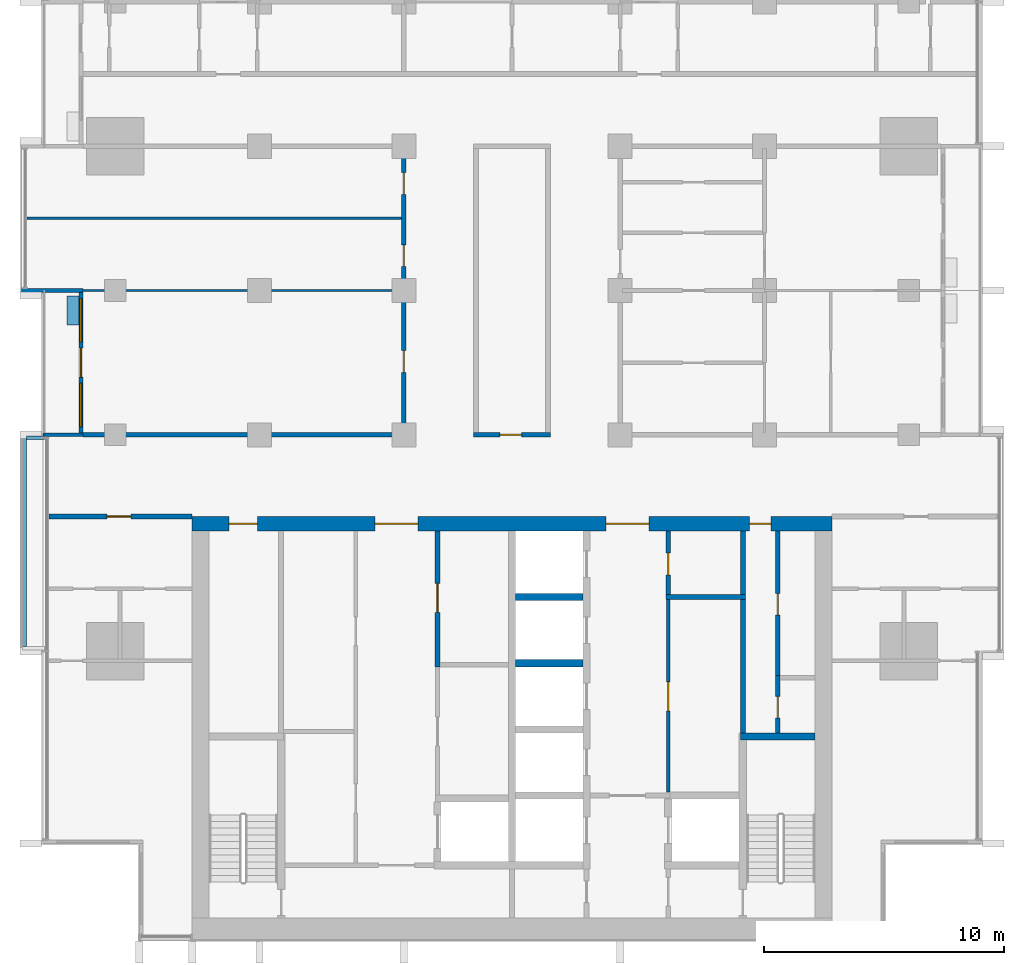
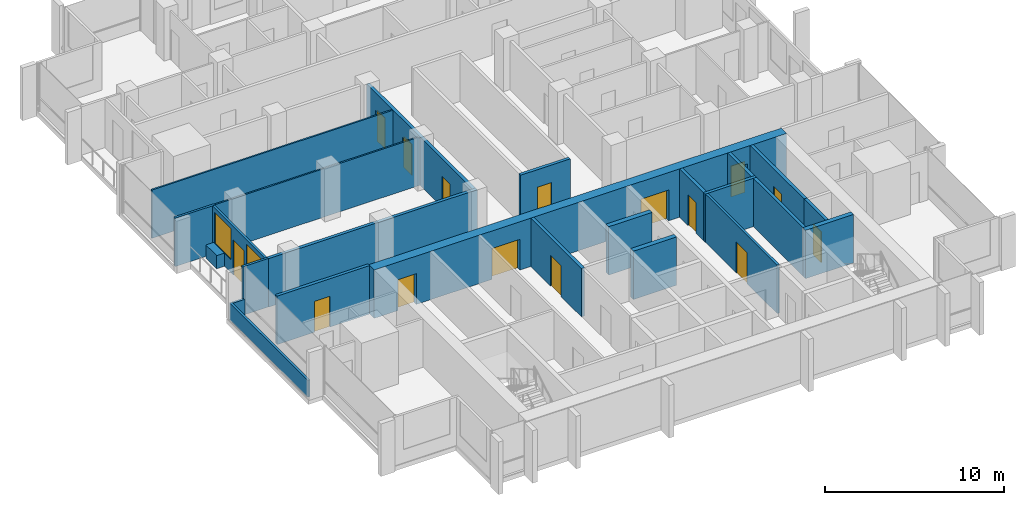
# One storey, part 8 of 17: 24 walls, 15 doors, 2 windows, 17 openings.
"""IFC4 building model written with IfcOpenShell, lengths in metres."""

from ifc_helpers import new_model, si_unit, direction, frame, frame_2d, origin, place, context, subcontext, project, spatial, rectangle, extrude, material, layer, layer_set, type_object, element, fill, save


model = new_model("IFC4")

# Units and contexts
model_context = context("Model", 3, precision=1e-05, world=origin(), true_north=direction((0.0, 1.0)))
body_context = subcontext(model_context, "Body", "Model", "MODEL_VIEW")
ifc_project = project(units=[si_unit("LENGTHUNIT", "METRE"), si_unit("AREAUNIT", "SQUARE_METRE"), si_unit("VOLUMEUNIT", "CUBIC_METRE"), si_unit("PLANEANGLEUNIT", "RADIAN"), si_unit("MASSUNIT", "GRAM", prefix="KILO")], contexts=[model_context])

# Site, building, storey
site_placement = place(None, origin())
site = spatial("IfcSite", under=ifc_project, at=site_placement, CompositionType="ELEMENT")
building_placement = place(site_placement, origin())
building = spatial("IfcBuilding", under=site, at=building_placement, Name="Finial Court Residences", CompositionType="ELEMENT")
storey_placement = place(building_placement, frame((0.0, 0.0, 152.89990234375)))
storey = spatial("IfcBuildingStorey", under=building, at=storey_placement, Name="L37", CompositionType="ELEMENT", Elevation=152.89990234375)

# Wall, openings, doors
ifc_material_1 = material(Name="Concrete C70/85", Category="concrete")
ifc_layer_1 = layer(ifc_material_1, 0.60009765625)
ifc_layer_set_1 = layer_set([ifc_layer_1], Name="Core outer wall 600 Concrete C70/85")
wall_type_1 = type_object("IfcWallType", Name="Core outer wall 600 Concrete C70/85", PredefinedType="SHEAR", material=ifc_layer_set_1)
wall_1_placement = place(storey_placement, frame((-13.300048828125, -8.199951171875, 0.0), z_axis=(0.0, 0.0, 1.0), x_axis=(1.0, 0.0, 0.0)))
wall_1 = element("IfcWall", 1, at=wall_1_placement, inside=storey, type_object=wall_type_1, Name="Core outer wall L37-02", PredefinedType="SHEAR", context=body_context, shape_type="SweptSolid", body=[
    extrude(rectangle(XDim=26.60009765625, YDim=0.60009765625, at=frame_2d((13.300048828125, 0.0))), origin(), (0.0, 0.0, 1.0), 3.300048828125),
])
opening_1_placement = place(wall_1_placement, frame((7.60009765625, 0.0, 0.0)))
opening_1 = element("IfcOpeningElement", 2, at=opening_1_placement, cuts=wall_1, Name="Opening L37-C04", PredefinedType="OPENING", context=body_context, shape_type="SweptSolid", body=[
    extrude(rectangle(XDim=1.800048828125, YDim=2.10009765625, at=frame_2d((0.89990234375, 1.050048828125))), frame((0.0, 0.31005859375, 0.0), z_axis=(0.0, -1.0, 0.0), x_axis=(1.0, 0.0, 0.0)), (0.0, 0.0, 1.0), 0.6201171875),
])
opening_2_placement = place(wall_1_placement, frame((17.199951171875, 0.0, 0.0)))
opening_2 = element("IfcOpeningElement", 3, at=opening_2_placement, cuts=wall_1, Name="Opening L37-C05", PredefinedType="OPENING", context=body_context, shape_type="SweptSolid", body=[
    extrude(rectangle(XDim=1.800048828125, YDim=2.10009765625, at=frame_2d((0.89990234375, 1.050048828125))), frame((0.0, 0.31005859375, 0.0), z_axis=(0.0, -1.0, 0.0), x_axis=(1.0, 0.0, 0.0)), (0.0, 0.0, 1.0), 0.6201171875),
])
opening_3_placement = place(wall_1_placement, frame((1.52490234375, 0.0, 0.0)))
opening_3 = element("IfcOpeningElement", 4, at=opening_3_placement, cuts=wall_1, Name="Opening L37-C10", PredefinedType="OPENING", context=body_context, shape_type="SweptSolid", body=[
    extrude(rectangle(XDim=1.199951171875, YDim=2.10009765625, at=frame_2d((0.60009765625, 1.050048828125))), frame((0.0, 0.31005859375, 0.0), z_axis=(0.0, -1.0, 0.0), x_axis=(1.0, 0.0, 0.0)), (0.0, 0.0, 1.0), 0.6201171875),
])
opening_4_placement = place(wall_1_placement, frame((23.175048828125, 0.0, 0.0)))
opening_4 = element("IfcOpeningElement", 5, at=opening_4_placement, cuts=wall_1, Name="Opening L37-C11", PredefinedType="OPENING", context=body_context, shape_type="SweptSolid", body=[
    extrude(rectangle(XDim=0.89990234375, YDim=2.10009765625, at=frame_2d((0.449951171875, 1.050048828125))), frame((0.0, 0.31005859375, 0.0), z_axis=(0.0, -1.0, 0.0), x_axis=(1.0, 0.0, 0.0)), (0.0, 0.0, 1.0), 0.6201171875),
])
ifc_material_2 = material(Name="Steel fire door", Category="steel")
door_type_1 = type_object("IfcDoorType", Name="Lift lobby door 1800 x 2100 EI 60", OperationType="DOUBLE_DOOR_SINGLE_SWING", PredefinedType="DOOR", material=ifc_material_2)
door_1_placement = place(opening_1_placement, origin())
door_1 = element("IfcDoor", 6, at=door_1_placement, inside=storey, type_object=door_type_1, Name="Lift lobby door L37-C04", OperationType="DOUBLE_DOOR_SINGLE_SWING", OverallHeight=2.10009765625, OverallWidth=1.800048828125, PredefinedType="DOOR", context=body_context, shape_type="SweptSolid", body=[
    extrude(rectangle(XDim=1.800048828125, YDim=2.10009765625, at=frame_2d((0.89990234375, 1.050048828125))), frame((0.0, 0.02490234375, 0.0), z_axis=(0.0, -1.0, 0.0), x_axis=(1.0, 0.0, 0.0)), (0.0, 0.0, 1.0), 0.050048828125),
])
fill(opening_1, door_1)
door_2_placement = place(opening_2_placement, origin())
door_2 = element("IfcDoor", 7, at=door_2_placement, inside=storey, type_object=door_type_1, Name="Lift lobby door L37-C05", OperationType="DOUBLE_DOOR_SINGLE_SWING", OverallHeight=2.10009765625, OverallWidth=1.800048828125, PredefinedType="DOOR", context=body_context, shape_type="SweptSolid", body=[
    extrude(rectangle(XDim=1.800048828125, YDim=2.10009765625, at=frame_2d((0.89990234375, 1.050048828125))), frame((0.0, 0.02490234375, 0.0), z_axis=(0.0, -1.0, 0.0), x_axis=(1.0, 0.0, 0.0)), (0.0, 0.0, 1.0), 0.050048828125),
])
fill(opening_2, door_2)
door_type_2 = type_object("IfcDoorType", Name="Riser room door 1200 x 2100 EI 90", OperationType="NOTDEFINED", PredefinedType="DOOR", material=ifc_material_2)
door_3_placement = place(opening_3_placement, origin())
door_3 = element("IfcDoor", 8, at=door_3_placement, inside=storey, type_object=door_type_2, Name="Riser room door L37-C10", OperationType="SINGLE_SWING_LEFT", OverallHeight=2.10009765625, OverallWidth=1.199951171875, PredefinedType="DOOR", context=body_context, shape_type="SweptSolid", body=[
    extrude(rectangle(XDim=1.199951171875, YDim=2.10009765625, at=frame_2d((0.60009765625, 1.050048828125))), frame((0.0, 0.02490234375, 0.0), z_axis=(0.0, -1.0, 0.0), x_axis=(1.0, 0.0, 0.0)), (0.0, 0.0, 1.0), 0.050048828125),
])
fill(opening_3, door_3)
door_type_3 = type_object("IfcDoorType", Name="Riser room door 900 x 2100 EI 90", OperationType="NOTDEFINED", PredefinedType="DOOR", material=ifc_material_2)
door_4_placement = place(opening_4_placement, origin())
door_4 = element("IfcDoor", 9, at=door_4_placement, inside=storey, type_object=door_type_3, Name="Riser room door L37-C11", OperationType="SINGLE_SWING_LEFT", OverallHeight=2.10009765625, OverallWidth=0.89990234375, PredefinedType="DOOR", context=body_context, shape_type="SweptSolid", body=[
    extrude(rectangle(XDim=0.89990234375, YDim=2.10009765625, at=frame_2d((0.449951171875, 1.050048828125))), frame((0.0, 0.02490234375, 0.0), z_axis=(0.0, -1.0, 0.0), x_axis=(1.0, 0.0, 0.0)), (0.0, 0.0, 1.0), 0.050048828125),
])
fill(opening_4, door_4)

# Wall, opening, door
ifc_material_3 = material(Name="Fire-rated gypsum board partition")
ifc_layer_2 = layer(ifc_material_3, 0.14990234375)
ifc_layer_set_2 = layer_set([ifc_layer_2], Name="Core room partition 150 EI 60")
wall_type_2 = type_object("IfcWallType", Name="Core room partition 150 EI 60", PredefinedType="PARTITIONING", material=ifc_layer_set_2)
wall_2_placement = place(storey_placement, frame((6.5, -11.35009765625, 0.0), z_axis=(0.0, 0.0, 1.0), x_axis=(0.0, -1.0, 0.0)))
wall_2 = element("IfcWall", 10, at=wall_2_placement, inside=storey, type_object=wall_type_2, Name="Core partition L37-29", PredefinedType="PARTITIONING", context=body_context, shape_type="SweptSolid", body=[
    extrude(rectangle(XDim=8.0, YDim=0.14990234375, at=frame_2d((4.0, 0.0))), origin(), (0.0, 0.0, 1.0), 3.300048828125),
])
opening_5_placement = place(wall_2_placement, frame((3.425048828125, 0.0, 0.0)))
opening_5 = element("IfcOpeningElement", 11, at=opening_5_placement, cuts=wall_2, Name="Opening L37-C16", PredefinedType="OPENING", context=body_context, shape_type="SweptSolid", body=[
    extrude(rectangle(XDim=1.199951171875, YDim=2.10009765625, at=frame_2d((0.60009765625, 1.050048828125))), frame((0.0, 0.0849609375, 0.0), z_axis=(0.0, -1.0, 0.0), x_axis=(1.0, 0.0, 0.0)), (0.0, 0.0, 1.0), 0.169921875),
])
door_type_4 = type_object("IfcDoorType", Name="Core room door 1200 x 2100 EI 60", OperationType="NOTDEFINED", PredefinedType="DOOR", material=ifc_material_2)
door_5_placement = place(opening_5_placement, origin())
door_5 = element("IfcDoor", 12, at=door_5_placement, inside=storey, type_object=door_type_4, Name="Core room door L37-C16", OperationType="SINGLE_SWING_RIGHT", OverallHeight=2.10009765625, OverallWidth=1.199951171875, PredefinedType="DOOR", context=body_context, shape_type="SweptSolid", body=[
    extrude(rectangle(XDim=1.199951171875, YDim=2.10009765625, at=frame_2d((0.60009765625, 1.050048828125))), frame((0.0, 0.02490234375, 0.0), z_axis=(0.0, -1.0, 0.0), x_axis=(1.0, 0.0, 0.0)), (0.0, 0.0, 1.0), 0.050048828125),
])
fill(opening_5, door_5)

ifc_material_4 = material(Name="Gypsum board")
ifc_layer_3 = layer(ifc_material_4, 0.02490234375)
ifc_material_5 = material(Name="Acoustic mineral wool in double frame")
ifc_layer_4 = layer(ifc_material_5, 0.14990234375)
ifc_layer_5 = layer(ifc_material_4, 0.02490234375)
ifc_layer_set_3 = layer_set([ifc_layer_3, ifc_layer_4, ifc_layer_5], Name="Corridor wall 200, 1 hour")
wall_type_3 = type_object("IfcWallType", Name="Corridor wall 200, 1 hour", PredefinedType="PARTITIONING", material=ifc_layer_set_3)
wall_3_placement = place(storey_placement, frame((-19.262451171875, -7.89990234375, 0.0), z_axis=(0.0, 0.0, 1.0), x_axis=(1.0, 0.0, 0.0)))
wall_3 = element("IfcWall", 13, at=wall_3_placement, inside=storey, type_object=wall_type_3, Name="Partition L37-004", PredefinedType="PARTITIONING", context=body_context, shape_type="SweptSolid", body=[
    extrude(rectangle(XDim=5.96240234375, YDim=0.199951171875, at=frame_2d((2.981201171875, 0.0))), origin(), (0.0, 0.0, 1.0), 3.300048828125),
])
opening_6_placement = place(wall_3_placement, frame((2.412109375, 0.0, 0.0)))
opening_6 = element("IfcOpeningElement", 14, at=opening_6_placement, cuts=wall_3, Name="Opening L37-D007", PredefinedType="OPENING", context=body_context, shape_type="SweptSolid", body=[
    extrude(rectangle(XDim=1.0, YDim=2.10009765625, at=frame_2d((0.5, 1.050048828125))), frame((0.0, 0.10986328125, 0.0), z_axis=(0.0, -1.0, 0.0), x_axis=(1.0, 0.0, 0.0)), (0.0, 0.0, 1.0), 0.219970703125),
])
ifc_material_6 = material(Name="Timber door leaf in hollow metal frame", Category="wood")
door_type_5 = type_object("IfcDoorType", Name="Fire door set 1000 x 2100, 30 minutes", OperationType="SINGLE_SWING_LEFT", PredefinedType="DOOR", material=ifc_material_6)
door_6_placement = place(opening_6_placement, origin())
door_6 = element("IfcDoor", 15, at=door_6_placement, inside=storey, type_object=door_type_5, Name="Door L37-D007", OperationType="SINGLE_SWING_RIGHT", OverallHeight=2.10009765625, OverallWidth=1.0, PredefinedType="DOOR", context=body_context, shape_type="SweptSolid", body=[
    extrude(rectangle(XDim=1.0, YDim=2.10009765625, at=frame_2d((0.5, 1.050048828125))), frame((0.0, 0.02490234375, 0.0), z_axis=(0.0, -1.0, 0.0), x_axis=(1.0, 0.0, 0.0)), (0.0, 0.0, 1.0), 0.050048828125),
])
fill(opening_6, door_6)

# Wall
wall_4_placement = place(storey_placement, frame((-17.85009765625, -4.5, 0.0), z_axis=(0.0, 0.0, 1.0), x_axis=(1.0, 0.0, 0.0)))
element("IfcWall", 16, at=wall_4_placement, inside=storey, type_object=wall_type_3, Name="Partition L37-006", PredefinedType="PARTITIONING", context=body_context, shape_type="SweptSolid", body=[
    extrude(rectangle(XDim=13.4501953125, YDim=0.199951171875, at=frame_2d((6.72509765625, 0.0))), origin(), (0.0, 0.0, 1.0), 3.300048828125),
])

# Wall, opening, door
wall_5_placement = place(storey_placement, frame((-1.60009765625, -4.5, 0.0), z_axis=(0.0, 0.0, 1.0), x_axis=(1.0, 0.0, 0.0)))
wall_5 = element("IfcWall", 17, at=wall_5_placement, inside=storey, type_object=wall_type_3, Name="Partition L37-007", PredefinedType="PARTITIONING", context=body_context, shape_type="SweptSolid", body=[
    extrude(rectangle(XDim=3.2001953125, YDim=0.199951171875, at=frame_2d((1.60009765625, 0.0))), origin(), (0.0, 0.0, 1.0), 3.300048828125),
])
opening_7_placement = place(wall_5_placement, frame((1.10009765625, 0.0, 0.0)))
opening_7 = element("IfcOpeningElement", 18, at=opening_7_placement, cuts=wall_5, Name="Opening L37-D009", PredefinedType="OPENING", context=body_context, shape_type="SweptSolid", body=[
    extrude(rectangle(XDim=0.89990234375, YDim=2.10009765625, at=frame_2d((0.449951171875, 1.050048828125))), frame((0.0, 0.10986328125, 0.0), z_axis=(0.0, -1.0, 0.0), x_axis=(1.0, 0.0, 0.0)), (0.0, 0.0, 1.0), 0.219970703125),
])
door_type_6 = type_object("IfcDoorType", Name="Fire door set 900 x 2100, 30 minutes", OperationType="SINGLE_SWING_LEFT", PredefinedType="DOOR", material=ifc_material_6)
door_7_placement = place(opening_7_placement, origin())
door_7 = element("IfcDoor", 19, at=door_7_placement, inside=storey, type_object=door_type_6, Name="Door L37-D009", OperationType="SINGLE_SWING_LEFT", OverallHeight=2.10009765625, OverallWidth=0.89990234375, PredefinedType="DOOR", context=body_context, shape_type="SweptSolid", body=[
    extrude(rectangle(XDim=0.89990234375, YDim=2.10009765625, at=frame_2d((0.449951171875, 1.050048828125))), frame((0.0, 0.02490234375, 0.0), z_axis=(0.0, -1.0, 0.0), x_axis=(1.0, 0.0, 0.0)), (0.0, 0.0, 1.0), 0.050048828125),
])
fill(opening_7, door_7)

# Wall, openings, doors
wall_6_placement = place(storey_placement, frame((-4.5, -4.39990234375, 0.0), z_axis=(0.0, 0.0, 1.0), x_axis=(0.0, 1.0, 0.0)))
wall_6 = element("IfcWall", 20, at=wall_6_placement, inside=storey, type_object=wall_type_3, Name="Partition L37-039", PredefinedType="PARTITIONING", context=body_context, shape_type="SweptSolid", body=[
    extrude(rectangle(XDim=11.7998046875, YDim=0.199951171875, at=frame_2d((5.89990234375, 0.0))), origin(), (0.0, 0.0, 1.0), 3.300048828125),
])
opening_8_placement = place(wall_6_placement, frame((2.5, 0.0, 0.0)))
opening_8 = element("IfcOpeningElement", 21, at=opening_8_placement, cuts=wall_6, Name="Opening L37-D027", PredefinedType="OPENING", context=body_context, shape_type="SweptSolid", body=[
    extrude(rectangle(XDim=0.89990234375, YDim=2.10009765625, at=frame_2d((0.449951171875, 1.050048828125))), frame((0.0, 0.10986328125, 0.0), z_axis=(0.0, -1.0, 0.0), x_axis=(1.0, 0.0, 0.0)), (0.0, 0.0, 1.0), 0.219970703125),
])
opening_9_placement = place(wall_6_placement, frame((6.89990234375, 0.0, 0.0)))
opening_9 = element("IfcOpeningElement", 22, at=opening_9_placement, cuts=wall_6, Name="Opening L37-D028", PredefinedType="OPENING", context=body_context, shape_type="SweptSolid", body=[
    extrude(rectangle(XDim=0.89990234375, YDim=2.10009765625, at=frame_2d((0.449951171875, 1.050048828125))), frame((0.0, 0.10986328125, 0.0), z_axis=(0.0, -1.0, 0.0), x_axis=(1.0, 0.0, 0.0)), (0.0, 0.0, 1.0), 0.219970703125),
])
opening_10_placement = place(wall_6_placement, frame((9.89990234375, 0.0, 0.0)))
opening_10 = element("IfcOpeningElement", 23, at=opening_10_placement, cuts=wall_6, Name="Opening L37-D029", PredefinedType="OPENING", context=body_context, shape_type="SweptSolid", body=[
    extrude(rectangle(XDim=0.89990234375, YDim=2.10009765625, at=frame_2d((0.449951171875, 1.050048828125))), frame((0.0, 0.10986328125, 0.0), z_axis=(0.0, -1.0, 0.0), x_axis=(1.0, 0.0, 0.0)), (0.0, 0.0, 1.0), 0.219970703125),
])
door_8_placement = place(opening_8_placement, origin())
door_8 = element("IfcDoor", 24, at=door_8_placement, inside=storey, type_object=door_type_6, Name="Door L37-D027", OperationType="SINGLE_SWING_RIGHT", OverallHeight=2.10009765625, OverallWidth=0.89990234375, PredefinedType="DOOR", context=body_context, shape_type="SweptSolid", body=[
    extrude(rectangle(XDim=0.89990234375, YDim=2.10009765625, at=frame_2d((0.449951171875, 1.050048828125))), frame((0.0, 0.02490234375, 0.0), z_axis=(0.0, -1.0, 0.0), x_axis=(1.0, 0.0, 0.0)), (0.0, 0.0, 1.0), 0.050048828125),
])
fill(opening_8, door_8)
door_9_placement = place(opening_9_placement, origin())
door_9 = element("IfcDoor", 25, at=door_9_placement, inside=storey, type_object=door_type_6, Name="Door L37-D028", OperationType="SINGLE_SWING_LEFT", OverallHeight=2.10009765625, OverallWidth=0.89990234375, PredefinedType="DOOR", context=body_context, shape_type="SweptSolid", body=[
    extrude(rectangle(XDim=0.89990234375, YDim=2.10009765625, at=frame_2d((0.449951171875, 1.050048828125))), frame((0.0, 0.02490234375, 0.0), z_axis=(0.0, -1.0, 0.0), x_axis=(1.0, 0.0, 0.0)), (0.0, 0.0, 1.0), 0.050048828125),
])
fill(opening_9, door_9)
door_10_placement = place(opening_10_placement, origin())
door_10 = element("IfcDoor", 26, at=door_10_placement, inside=storey, type_object=door_type_6, Name="Door L37-D029", OperationType="SINGLE_SWING_LEFT", OverallHeight=2.10009765625, OverallWidth=0.89990234375, PredefinedType="DOOR", context=body_context, shape_type="SweptSolid", body=[
    extrude(rectangle(XDim=0.89990234375, YDim=2.10009765625, at=frame_2d((0.449951171875, 1.050048828125))), frame((0.0, 0.02490234375, 0.0), z_axis=(0.0, -1.0, 0.0), x_axis=(1.0, 0.0, 0.0)), (0.0, 0.0, 1.0), 0.050048828125),
])
fill(opening_10, door_10)

# Walls
ifc_layer_6 = layer(ifc_material_4, 0.012451171875)
ifc_material_7 = material(Name="Mineral wool in light-gauge frame")
ifc_layer_7 = layer(ifc_material_7, 0.074951171875)
ifc_layer_8 = layer(ifc_material_4, 0.012451171875)
ifc_layer_set_4 = layer_set([ifc_layer_6, ifc_layer_7, ifc_layer_8], Name="Gypsum board partition 100")
wall_type_4 = type_object("IfcWallType", Name="Gypsum board partition 100", PredefinedType="PARTITIONING", material=ifc_layer_set_4)
wall_7_placement = place(storey_placement, frame((-17.85009765625, 1.5, 0.0), z_axis=(0.0, 0.0, 1.0), x_axis=(1.0, 0.0, 0.0)))
element("IfcWall", 27, at=wall_7_placement, inside=storey, type_object=wall_type_4, Name="Partition L37-010", PredefinedType="PARTITIONING", context=body_context, shape_type="SweptSolid", body=[
    extrude(rectangle(XDim=13.25, YDim=0.10009765625, at=frame_2d((6.625, 0.0))), origin(), (0.0, 0.0, 1.0), 3.300048828125),
])
wall_8_placement = place(storey_placement, frame((-20.16259765625, 4.5, 0.0), z_axis=(0.0, 0.0, 1.0), x_axis=(1.0, 0.0, 0.0)))
element("IfcWall", 28, at=wall_8_placement, inside=storey, type_object=wall_type_4, Name="Partition L37-014", PredefinedType="PARTITIONING", context=body_context, shape_type="SweptSolid", body=[
    extrude(rectangle(XDim=15.5625, YDim=0.10009765625, at=frame_2d((7.78125, 0.0))), origin(), (0.0, 0.0, 1.0), 3.300048828125),
])
ifc_material_8 = material(Name="Concrete C35/45", Category="concrete")
ifc_layer_9 = layer(ifc_material_8, 0.14990234375)
ifc_layer_set_5 = layer_set([ifc_layer_9], Name="Ledge parapet, Concrete C35/45 150")
wall_type_5 = type_object("IfcWallType", Name="Ledge parapet, Concrete C35/45 150", PredefinedType="PARAPET", material=ifc_layer_set_5)
wall_9_placement = place(storey_placement, frame((-20.27490234375, -13.300048828125, 0.0), z_axis=(0.0, 0.0, 1.0), x_axis=(0.0, 1.0, 0.0)))
element("IfcWall", 29, at=wall_9_placement, inside=storey, type_object=wall_type_5, Name="E-L37-LED1-P2", PredefinedType="PARAPET", context=body_context, shape_type="SweptSolid", body=[
    extrude(rectangle(XDim=8.75, YDim=0.14990234375, at=frame_2d((4.375, 0.0))), origin(), (0.0, 0.0, 1.0), 1.150146484375),
])
wall_10_placement = place(storey_placement, frame((-20.199951171875, -4.625, 0.0), z_axis=(0.0, 0.0, 1.0), x_axis=(1.0, 0.0, 0.0)))
element("IfcWall", 30, at=wall_10_placement, inside=storey, type_object=wall_type_5, Name="E-L37-LED1-P3", PredefinedType="PARAPET", context=body_context, shape_type="SweptSolid", body=[
    extrude(rectangle(XDim=0.75244140625, YDim=0.14990234375, at=frame_2d((0.376220703125, 0.0))), origin(), (0.0, 0.0, 1.0), 1.150146484375),
])
ifc_layer_10 = layer(ifc_material_1, 0.300048828125)
ifc_layer_set_6 = layer_set([ifc_layer_10], Name="Lift shaft and stair wall 300 Concrete C70/85")
wall_type_6 = type_object("IfcWallType", Name="Lift shaft and stair wall 300 Concrete C70/85", PredefinedType="SHEAR", material=ifc_layer_set_6)
wall_11_placement = place(storey_placement, frame((9.5, -17.050048828125, 0.0), z_axis=(0.0, 0.0, 1.0), x_axis=(1.0, 0.0, 0.0)))
element("IfcWall", 31, at=wall_11_placement, inside=storey, type_object=wall_type_6, Name="Core wall L37-09", PredefinedType="SHEAR", context=body_context, shape_type="SweptSolid", body=[
    extrude(rectangle(XDim=3.10009765625, YDim=0.300048828125, at=frame_2d((1.550048828125, 0.0))), origin(), (0.0, 0.0, 1.0), 3.300048828125),
])
for number, where, z_axis, x_axis, name in (
    (32, (0.14990234375, -14.0, 0.0), (0.0, 0.0, 1.0), (1.0, 0.0, 0.0), "Core wall L37-14"),
    (33, (0.14990234375, -11.25, 0.0), (0.0, 0.0, 1.0), (1.0, 0.0, 0.0), "Core wall L37-15"),
):
    element("IfcWall", number, at=place(storey_placement, frame(where, z_axis=z_axis, x_axis=x_axis)), inside=storey, type_object=wall_type_6, Name=name, PredefinedType="SHEAR", context=body_context, shape_type="SweptSolid", body=[
        extrude(rectangle(XDim=2.800048828125, YDim=0.300048828125, at=frame_2d((1.39990234375, 0.0))), origin(), (0.0, 0.0, 1.0), 3.300048828125),
    ])
ifc_material_9 = material(Name="Natural limestone", Category="masonry")
ifc_layer_11 = layer(ifc_material_9, 0.14990234375)
ifc_layer_set_7 = layer_set([ifc_layer_11], Name="Limestone clad wall 150")
wall_type_7 = type_object("IfcWallType", Name="Limestone clad wall 150", PredefinedType="SOLIDWALL", material=ifc_layer_set_7)
wall_12_placement = place(storey_placement, frame((-17.85009765625, -4.5, 0.0), z_axis=(0.0, 0.0, 1.0), x_axis=(-1.0, 0.0, 0.0)))
element("IfcWall", 34, at=wall_12_placement, inside=storey, type_object=wall_type_7, Name="E-L37-BALW3-P1", PredefinedType="SOLIDWALL", context=body_context, shape_type="SweptSolid", body=[
    extrude(rectangle(XDim=1.64990234375, YDim=0.14990234375, at=frame_2d((0.824951171875, 0.0))), origin(), (0.0, 0.0, 1.0), 3.300048828125),
])
wall_13_placement = place(storey_placement, frame((-17.85009765625, 1.5, 0.0), z_axis=(0.0, 0.0, 1.0), x_axis=(-1.0, 0.0, 0.0)))
element("IfcWall", 35, at=wall_13_placement, inside=storey, type_object=wall_type_7, Name="E-L37-BALW3-P2", PredefinedType="SOLIDWALL", context=body_context, shape_type="SweptSolid", body=[
    extrude(rectangle(XDim=2.5498046875, YDim=0.14990234375, at=frame_2d((1.27490234375, 0.0))), origin(), (0.0, 0.0, 1.0), 3.300048828125),
])

# Wall, openings, door, windows
wall_14_placement = place(storey_placement, frame((-17.925048828125, -4.425048828125, 0.0), z_axis=(0.0, 0.0, 1.0), x_axis=(0.0, 1.0, 0.0)))
wall_14 = element("IfcWall", 36, at=wall_14_placement, inside=storey, type_object=wall_type_7, Name="E-L37-L37-BALW3-W", PredefinedType="SOLIDWALL", context=body_context, shape_type="SweptSolid", body=[
    extrude(rectangle(XDim=5.85009765625, YDim=0.14990234375, at=frame_2d((2.925048828125, 0.0))), origin(), (0.0, 0.0, 1.0), 3.300048828125),
])
opening_11_placement = place(wall_14_placement, frame((2.324951171875, 0.0, 0.0)))
opening_11 = element("IfcOpeningElement", 37, at=opening_11_placement, cuts=wall_14, Name="Opening DE37-04", PredefinedType="OPENING", context=body_context, shape_type="SweptSolid", body=[
    extrude(rectangle(XDim=1.199951171875, YDim=2.39990234375, at=frame_2d((0.60009765625, 1.199951171875))), frame((0.0, 0.0849609375, 0.0), z_axis=(0.0, -1.0, 0.0), x_axis=(1.0, 0.0, 0.0)), (0.0, 0.0, 1.0), 0.169921875),
])
opening_12_placement = place(wall_14_placement, frame((0.262451171875, 0.0, 0.89990234375)))
opening_12 = element("IfcOpeningElement", 38, at=opening_12_placement, cuts=wall_14, Name="Opening WE37-16", PredefinedType="OPENING", context=body_context, shape_type="SweptSolid", body=[
    extrude(rectangle(XDim=1.800048828125, YDim=2.10009765625, at=frame_2d((0.89990234375, 1.050048828125))), frame((0.0, 0.0849609375, 0.0), z_axis=(0.0, -1.0, 0.0), x_axis=(1.0, 0.0, 0.0)), (0.0, 0.0, 1.0), 0.169921875),
])
opening_13_placement = place(wall_14_placement, frame((3.78759765625, 0.0, 0.89990234375)))
opening_13 = element("IfcOpeningElement", 39, at=opening_13_placement, cuts=wall_14, Name="Opening WE37-17", PredefinedType="OPENING", context=body_context, shape_type="SweptSolid", body=[
    extrude(rectangle(XDim=1.800048828125, YDim=2.10009765625, at=frame_2d((0.89990234375, 1.050048828125))), frame((0.0, 0.0849609375, 0.0), z_axis=(0.0, -1.0, 0.0), x_axis=(1.0, 0.0, 0.0)), (0.0, 0.0, 1.0), 0.169921875),
])
ifc_material_10 = material(Name="Bronze anodised aluminium", Category="aluminium")
door_type_7 = type_object("IfcDoorType", Name="Balcony door 1200 x 2400", OperationType="SINGLE_SWING_LEFT", PredefinedType="DOOR", material=ifc_material_10)
door_11_placement = place(opening_11_placement, origin())
door_11 = element("IfcDoor", 40, at=door_11_placement, inside=storey, type_object=door_type_7, Name="E-L37-L37-BALW3-W-D", OperationType="SINGLE_SWING_LEFT", OverallHeight=2.39990234375, OverallWidth=1.199951171875, PredefinedType="DOOR", context=body_context, shape_type="SweptSolid", body=[
    extrude(rectangle(XDim=1.199951171875, YDim=2.39990234375, at=frame_2d((0.60009765625, 1.199951171875))), frame((0.0, 0.02490234375, 0.0), z_axis=(0.0, -1.0, 0.0), x_axis=(1.0, 0.0, 0.0)), (0.0, 0.0, 1.0), 0.050048828125),
])
fill(opening_11, door_11)
ifc_material_11 = material(Name="Clear low-e glass", Category="glass")
window_type = type_object("IfcWindowType", Name="Balcony window 1800 x 2100", PartitioningType="SINGLE_PANEL", PredefinedType="WINDOW", material=ifc_material_11)
window_1_placement = place(opening_12_placement, origin())
window_1 = element("IfcWindow", 41, at=window_1_placement, inside=storey, type_object=window_type, Name="E-L37-L37-BALW3-W-W1", OverallHeight=2.10009765625, OverallWidth=1.800048828125, PartitioningType="SINGLE_PANEL", PredefinedType="WINDOW", context=body_context, shape_type="SweptSolid", body=[
    extrude(rectangle(XDim=1.800048828125, YDim=2.10009765625, at=frame_2d((0.89990234375, 1.050048828125))), frame((0.0, 0.030029296875, 0.0), z_axis=(0.0, -1.0, 0.0), x_axis=(1.0, 0.0, 0.0)), (0.0, 0.0, 1.0), 0.06005859375),
])
fill(opening_12, window_1)
window_2_placement = place(opening_13_placement, origin())
window_2 = element("IfcWindow", 42, at=window_2_placement, inside=storey, type_object=window_type, Name="E-L37-L37-BALW3-W-W2", OverallHeight=2.10009765625, OverallWidth=1.800048828125, PartitioningType="SINGLE_PANEL", PredefinedType="WINDOW", context=body_context, shape_type="SweptSolid", body=[
    extrude(rectangle(XDim=1.800048828125, YDim=2.10009765625, at=frame_2d((0.89990234375, 1.050048828125))), frame((0.0, 0.030029296875, 0.0), z_axis=(0.0, -1.0, 0.0), x_axis=(1.0, 0.0, 0.0)), (0.0, 0.0, 1.0), 0.06005859375),
])
fill(opening_13, window_2)

# Walls
ifc_material_12 = material(Name="Concrete C40/50", Category="concrete")
ifc_layer_12 = layer(ifc_material_12, 0.10009765625)
ifc_material_13 = material(Name="Planting soil", Category="soil")
ifc_layer_13 = layer(ifc_material_13, 0.300048828125)
ifc_layer_14 = layer(ifc_material_12, 0.10009765625)
ifc_layer_set_8 = layer_set([ifc_layer_12, ifc_layer_13, ifc_layer_14], Name="Planter wall, balcony")
wall_type_8 = type_object("IfcWallType", Name="Planter wall, balcony", PredefinedType="USERDEFINED", material=ifc_layer_set_8)
wall_15_placement = place(storey_placement, frame((-18.25, 0.074951171875, 0.0), z_axis=(0.0, 0.0, 1.0), x_axis=(0.0, 1.0, 0.0)))
element("IfcWall", 43, at=wall_15_placement, inside=storey, type_object=wall_type_8, Name="E-L37-BALW3-PL", ObjectType="PLANTER", PredefinedType="USERDEFINED", context=body_context, shape_type="SweptSolid", body=[
    extrude(rectangle(XDim=1.199951171875, YDim=0.5, at=frame_2d((0.60009765625, 0.0))), origin(), (0.0, 0.0, 1.0), 0.900146484375),
])
ifc_layer_15 = layer(ifc_material_3, 0.199951171875)
ifc_layer_set_9 = layer_set([ifc_layer_15], Name="Riser room wall 200 EI 120")
wall_type_9 = type_object("IfcWallType", Name="Riser room wall 200 EI 120", PredefinedType="PARTITIONING", material=ifc_layer_set_9)
wall_16_placement = place(storey_placement, frame((6.39990234375, -11.25, 0.0), z_axis=(0.0, 0.0, 1.0), x_axis=(1.0, 0.0, 0.0)))
element("IfcWall", 44, at=wall_16_placement, inside=storey, type_object=wall_type_9, Name="Core partition L37-16", PredefinedType="PARTITIONING", context=body_context, shape_type="SweptSolid", body=[
    extrude(rectangle(XDim=3.300048828125, YDim=0.199951171875, at=frame_2d((1.64990234375, 0.0))), origin(), (0.0, 0.0, 1.0), 3.300048828125),
])

# Wall, opening, door
wall_17_placement = place(storey_placement, frame((-3.10009765625, -8.5, 0.0), z_axis=(0.0, 0.0, 1.0), x_axis=(0.0, -1.0, 0.0)))
wall_17 = element("IfcWall", 45, at=wall_17_placement, inside=storey, type_object=wall_type_9, Name="Core partition L37-22", PredefinedType="PARTITIONING", context=body_context, shape_type="SweptSolid", body=[
    extrude(rectangle(XDim=5.659912109375, YDim=0.199951171875, at=frame_2d((2.830078125, 0.0))), origin(), (0.0, 0.0, 1.0), 3.300048828125),
])
opening_14_placement = place(wall_17_placement, frame((2.179931640625, 0.0, 0.0)))
opening_14 = element("IfcOpeningElement", 46, at=opening_14_placement, cuts=wall_17, Name="Opening L37-C08", PredefinedType="OPENING", context=body_context, shape_type="SweptSolid", body=[
    extrude(rectangle(XDim=1.199951171875, YDim=2.10009765625, at=frame_2d((0.60009765625, 1.050048828125))), frame((0.0, 0.10986328125, 0.0), z_axis=(0.0, -1.0, 0.0), x_axis=(1.0, 0.0, 0.0)), (0.0, 0.0, 1.0), 0.219970703125),
])
door_12_placement = place(opening_14_placement, origin())
door_12 = element("IfcDoor", 47, at=door_12_placement, inside=storey, type_object=door_type_2, Name="Riser room door L37-C08", OperationType="SINGLE_SWING_LEFT", OverallHeight=2.10009765625, OverallWidth=1.199951171875, PredefinedType="DOOR", context=body_context, shape_type="SweptSolid", body=[
    extrude(rectangle(XDim=1.199951171875, YDim=2.10009765625, at=frame_2d((0.60009765625, 1.050048828125))), frame((0.0, 0.02490234375, 0.0), z_axis=(0.0, -1.0, 0.0), x_axis=(1.0, 0.0, 0.0)), (0.0, 0.0, 1.0), 0.050048828125),
])
fill(opening_14, door_12)

wall_18_placement = place(storey_placement, frame((6.5, -8.5, 0.0), z_axis=(0.0, 0.0, 1.0), x_axis=(0.0, -1.0, 0.0)))
wall_18 = element("IfcWall", 48, at=wall_18_placement, inside=storey, type_object=wall_type_9, Name="Core partition L37-30", PredefinedType="PARTITIONING", context=body_context, shape_type="SweptSolid", body=[
    extrude(rectangle(XDim=2.64990234375, YDim=0.199951171875, at=frame_2d((1.324951171875, 0.0))), origin(), (0.0, 0.0, 1.0), 3.300048828125),
])
opening_15_placement = place(wall_18_placement, frame((0.925048828125, 0.0, 0.0)))
opening_15 = element("IfcOpeningElement", 49, at=opening_15_placement, cuts=wall_18, Name="Opening L37-C09", PredefinedType="OPENING", context=body_context, shape_type="SweptSolid", body=[
    extrude(rectangle(XDim=0.89990234375, YDim=2.10009765625, at=frame_2d((0.449951171875, 1.050048828125))), frame((0.0, 0.10986328125, 0.0), z_axis=(0.0, -1.0, 0.0), x_axis=(1.0, 0.0, 0.0)), (0.0, 0.0, 1.0), 0.219970703125),
])
door_13_placement = place(opening_15_placement, origin())
door_13 = element("IfcDoor", 50, at=door_13_placement, inside=storey, type_object=door_type_3, Name="Riser room door L37-C09", OperationType="SINGLE_SWING_RIGHT", OverallHeight=2.10009765625, OverallWidth=0.89990234375, PredefinedType="DOOR", context=body_context, shape_type="SweptSolid", body=[
    extrude(rectangle(XDim=0.89990234375, YDim=2.10009765625, at=frame_2d((0.449951171875, 1.050048828125))), frame((0.0, 0.02490234375, 0.0), z_axis=(0.0, -1.0, 0.0), x_axis=(1.0, 0.0, 0.0)), (0.0, 0.0, 1.0), 0.050048828125),
])
fill(opening_15, door_13)

# Wall
wall_19_placement = place(storey_placement, frame((9.60009765625, -11.14990234375, 0.0), z_axis=(0.0, 0.0, 1.0), x_axis=(0.0, 1.0, 0.0)))
element("IfcWall", 51, at=wall_19_placement, inside=storey, type_object=wall_type_9, Name="Core partition L37-33", PredefinedType="PARTITIONING", context=body_context, shape_type="SweptSolid", body=[
    extrude(rectangle(XDim=2.64990234375, YDim=0.199951171875, at=frame_2d((1.324951171875, 0.0))), origin(), (0.0, 0.0, 1.0), 3.300048828125),
])

# Wall, opening, door
wall_20_placement = place(storey_placement, frame((11.050048828125, -8.5, 0.0), z_axis=(0.0, 0.0, 1.0), x_axis=(0.0, -1.0, 0.0)))
wall_20 = element("IfcWall", 52, at=wall_20_placement, inside=storey, type_object=wall_type_9, Name="Core partition L37-35", PredefinedType="PARTITIONING", context=body_context, shape_type="SweptSolid", body=[
    extrude(rectangle(XDim=6.199951171875, YDim=0.199951171875, at=frame_2d((3.10009765625, 0.0))), origin(), (0.0, 0.0, 1.0), 3.300048828125),
])
opening_16_placement = place(wall_20_placement, frame((2.60009765625, 0.0, 0.0)))
opening_16 = element("IfcOpeningElement", 53, at=opening_16_placement, cuts=wall_20, Name="Opening L37-C07", PredefinedType="OPENING", context=body_context, shape_type="SweptSolid", body=[
    extrude(rectangle(XDim=0.89990234375, YDim=2.10009765625, at=frame_2d((0.449951171875, 1.050048828125))), frame((0.0, 0.10986328125, 0.0), z_axis=(0.0, -1.0, 0.0), x_axis=(1.0, 0.0, 0.0)), (0.0, 0.0, 1.0), 0.219970703125),
])
door_14_placement = place(opening_16_placement, origin())
door_14 = element("IfcDoor", 54, at=door_14_placement, inside=storey, type_object=door_type_3, Name="Riser room door L37-C07", OperationType="SINGLE_SWING_RIGHT", OverallHeight=2.10009765625, OverallWidth=0.89990234375, PredefinedType="DOOR", context=body_context, shape_type="SweptSolid", body=[
    extrude(rectangle(XDim=0.89990234375, YDim=2.10009765625, at=frame_2d((0.449951171875, 1.050048828125))), frame((0.0, 0.02490234375, 0.0), z_axis=(0.0, -1.0, 0.0), x_axis=(1.0, 0.0, 0.0)), (0.0, 0.0, 1.0), 0.050048828125),
])
fill(opening_16, door_14)

# Wall
ifc_layer_16 = layer(ifc_material_3, 0.199951171875)
ifc_layer_set_10 = layer_set([ifc_layer_16], Name="Stair passage wall 200 EI 180")
wall_type_10 = type_object("IfcWallType", Name="Stair passage wall 200 EI 180", PredefinedType="PARTITIONING", material=ifc_layer_set_10)
wall_21_placement = place(storey_placement, frame((9.60009765625, -16.89990234375, 0.0), z_axis=(0.0, 0.0, 1.0), x_axis=(0.0, 1.0, 0.0)))
element("IfcWall", 55, at=wall_21_placement, inside=storey, type_object=wall_type_10, Name="Core partition L37-32", PredefinedType="PARTITIONING", context=body_context, shape_type="SweptSolid", body=[
    extrude(rectangle(XDim=5.75, YDim=0.199951171875, at=frame_2d((2.875, 0.0))), origin(), (0.0, 0.0, 1.0), 3.300048828125),
])

# Wall, opening, door
wall_22_placement = place(storey_placement, frame((11.050048828125, -14.5, 0.0), z_axis=(0.0, 0.0, 1.0), x_axis=(0.0, -1.0, 0.0)))
wall_22 = element("IfcWall", 56, at=wall_22_placement, inside=storey, type_object=wall_type_10, Name="Core partition L37-34", PredefinedType="PARTITIONING", context=body_context, shape_type="SweptSolid", body=[
    extrude(rectangle(XDim=2.39990234375, YDim=0.199951171875, at=frame_2d((1.199951171875, 0.0))), origin(), (0.0, 0.0, 1.0), 3.300048828125),
])
opening_17_placement = place(wall_22_placement, frame((0.875, 0.0, 0.0)))
opening_17 = element("IfcOpeningElement", 57, at=opening_17_placement, cuts=wall_22, Name="Opening L37-C12", PredefinedType="OPENING", context=body_context, shape_type="SweptSolid", body=[
    extrude(rectangle(XDim=0.89990234375, YDim=2.10009765625, at=frame_2d((0.449951171875, 1.050048828125))), frame((0.0, 0.10986328125, 0.0), z_axis=(0.0, -1.0, 0.0), x_axis=(1.0, 0.0, 0.0)), (0.0, 0.0, 1.0), 0.219970703125),
])
door_type_8 = type_object("IfcDoorType", Name="Core room door 900 x 2100 EI 60", OperationType="NOTDEFINED", PredefinedType="DOOR", material=ifc_material_2)
door_15_placement = place(opening_17_placement, origin())
door_15 = element("IfcDoor", 58, at=door_15_placement, inside=storey, type_object=door_type_8, Name="Core room door L37-C12", OperationType="SINGLE_SWING_LEFT", OverallHeight=2.10009765625, OverallWidth=0.89990234375, PredefinedType="DOOR", context=body_context, shape_type="SweptSolid", body=[
    extrude(rectangle(XDim=0.89990234375, YDim=2.10009765625, at=frame_2d((0.449951171875, 1.050048828125))), frame((0.0, 0.02490234375, 0.0), z_axis=(0.0, -1.0, 0.0), x_axis=(1.0, 0.0, 0.0)), (0.0, 0.0, 1.0), 0.050048828125),
])
fill(opening_17, door_15)

save(model, "model.ifc")
